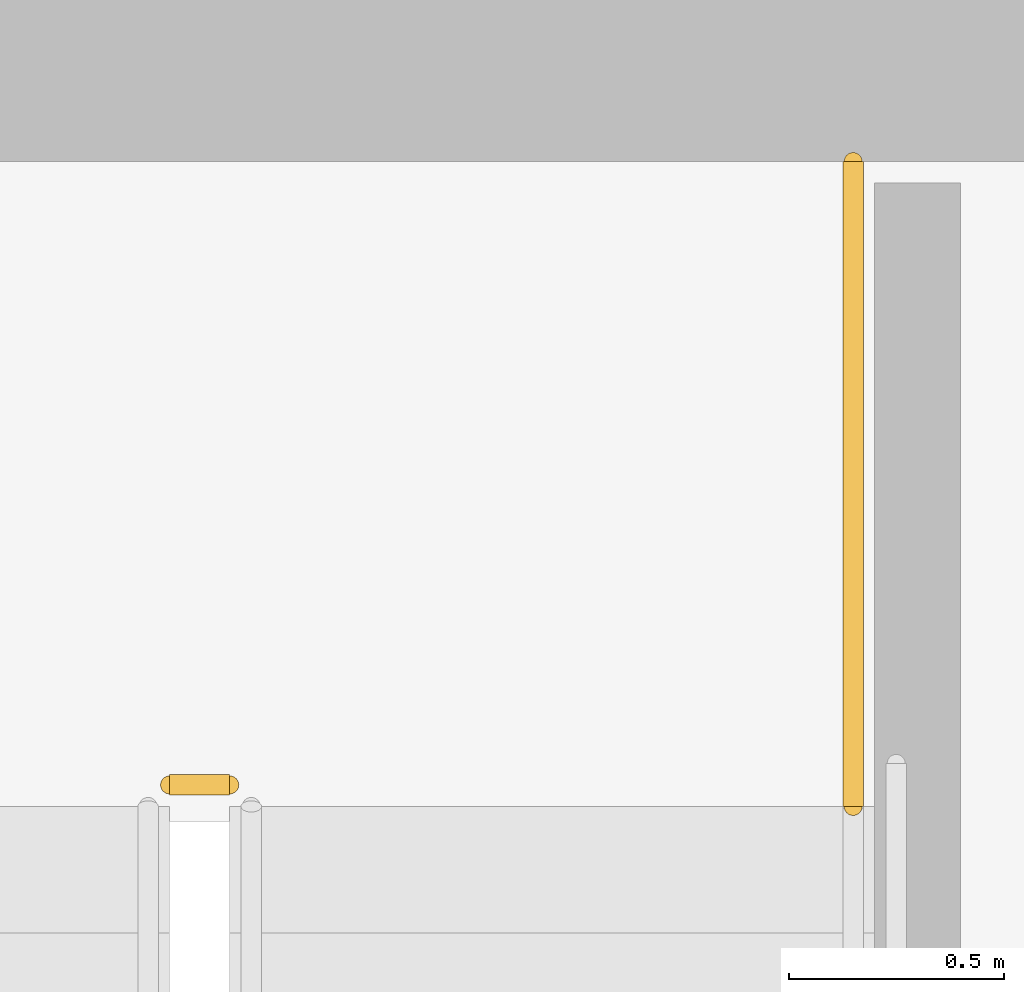
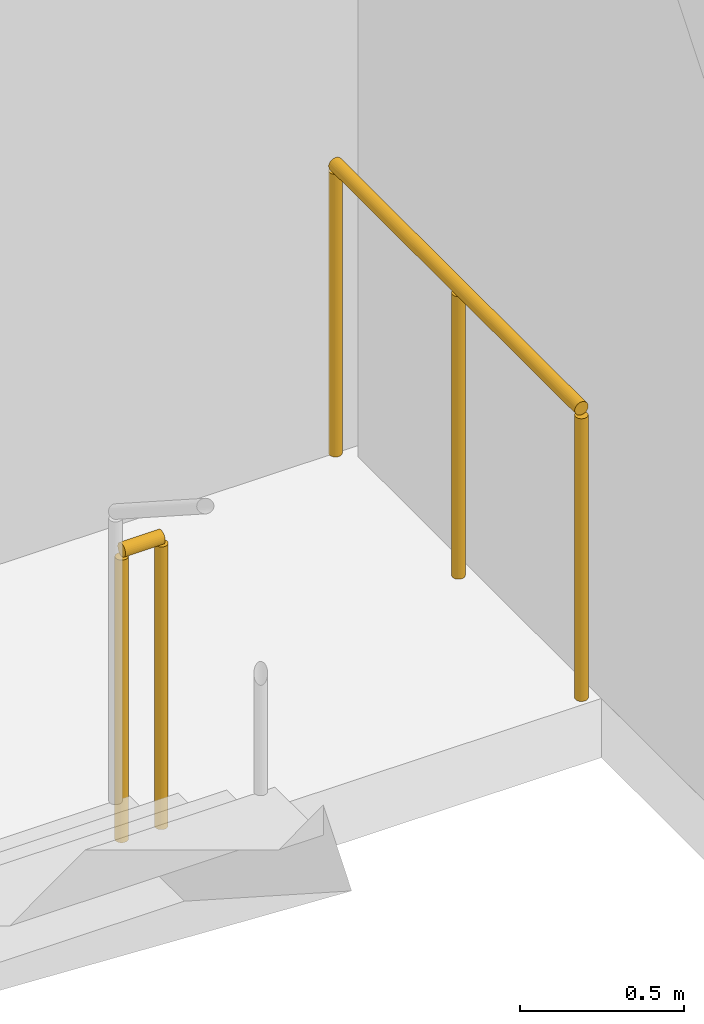
# One storey, part 31 of 31: 2 railings.
"""IFC4 building model written with IfcOpenShell, lengths in metres."""

from ifc_helpers import new_model, si_unit, direction, frame, origin, origin_2d, place, context, subcontext, project, spatial, circle, extrude, material, layer, layer_set, type_object, element, save


model = new_model("IFC4")

# Units and contexts
model_context = context("Model", 3, precision=1e-05, world=origin(), true_north=direction((0.0, 1.0)))
body_context = subcontext(model_context, "Body", "Model", "MODEL_VIEW")
ifc_project = project(units=[si_unit("LENGTHUNIT", "METRE"), si_unit("AREAUNIT", "SQUARE_METRE"), si_unit("VOLUMEUNIT", "CUBIC_METRE"), si_unit("PLANEANGLEUNIT", "RADIAN"), si_unit("MASSUNIT", "GRAM", prefix="KILO")], contexts=[model_context])

# Site, building, storey
site_placement = place(None, origin())
site = spatial("IfcSite", under=ifc_project, at=site_placement, CompositionType="ELEMENT")
building_placement = place(site_placement, origin())
building = spatial("IfcBuilding", under=site, at=building_placement, Name="Ndaravel Arena Tower", CompositionType="ELEMENT")
storey_placement = place(building_placement, frame((0.0, 0.0, 146.0)))
storey = spatial("IfcBuildingStorey", under=building, at=storey_placement, Name="L34", CompositionType="ELEMENT", Elevation=146.0)

# Railings
ifc_material = material(Name="Steel S355", Category="steel")
ifc_layer = layer(ifc_material, 0.06005859375)
ifc_layer_set = layer_set([ifc_layer], Name="Steel S355")
railing_type = type_object("IfcRailingType", Name="RAIL-STAIR-GD1100", PredefinedType="GUARDRAIL", material=ifc_layer_set)
railing_1_placement = place(storey_placement, frame((55.10009765625, 13.300048828125, 0.0)))
element("IfcRailing", 1, at=railing_1_placement, inside=storey, type_object=railing_type, Name="L34 ST-3 stair guard 4", PredefinedType="GUARDRAIL", context=body_context, shape_type="SweptSolid", body=[
    extrude(circle(Radius=0.02392578125, at=origin_2d()), frame((0.0, 0.0, 1.076171875), z_axis=(1.0, 0.0, 0.0), x_axis=(0.0, 1.0, 0.0)), (0.0, 0.0, 1.0), 0.139892578125),
    extrude(circle(Radius=0.02099609375, at=origin_2d()), origin(), (0.0, 0.0, 1.0), 1.052001953125),
    extrude(circle(Radius=0.02099609375, at=origin_2d()), frame((0.139892578125, 0.0, 0.0)), (0.0, 0.0, 1.0), 1.052001953125),
])
railing_2_placement = place(storey_placement, frame((56.68994140625, 14.75, 0.0)))
element("IfcRailing", 2, at=railing_2_placement, inside=storey, type_object=railing_type, Name="L34 ST-3 stair guard 5", PredefinedType="GUARDRAIL", context=body_context, shape_type="SweptSolid", body=[
    extrude(circle(Radius=0.02392578125, at=origin_2d()), frame((0.0, 0.0, 1.076171875), z_axis=(0.0, -1.0, 0.0), x_axis=(1.0, 0.0, 0.0)), (0.0, 0.0, 1.0), 1.5),
    extrude(circle(Radius=0.02099609375, at=origin_2d()), origin(), (0.0, 0.0, 1.0), 1.052001953125),
    extrude(circle(Radius=0.02099609375, at=origin_2d()), frame((0.0, -0.75, 0.0)), (0.0, 0.0, 1.0), 1.052001953125),
    extrude(circle(Radius=0.02099609375, at=origin_2d()), frame((0.0, -1.5, 0.0)), (0.0, 0.0, 1.0), 1.052001953125),
])

save(model, "model.ifc")
